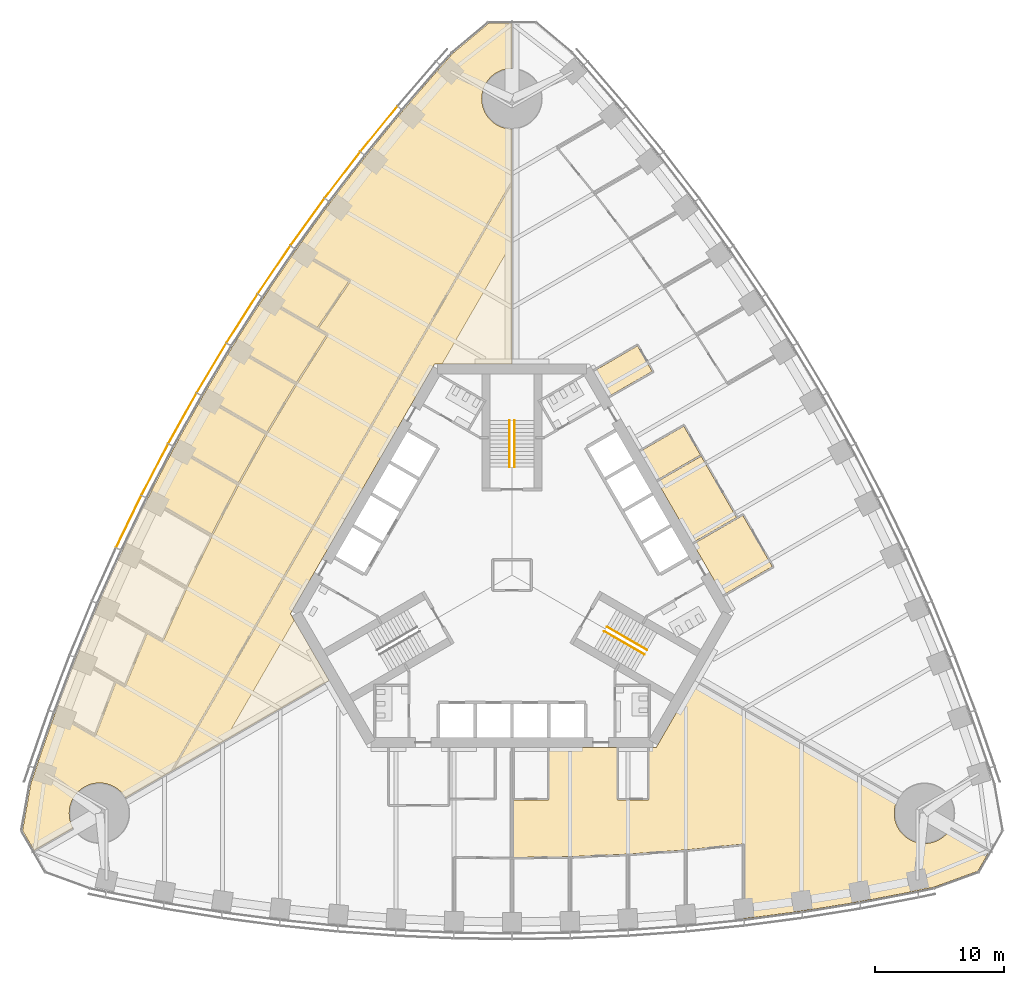
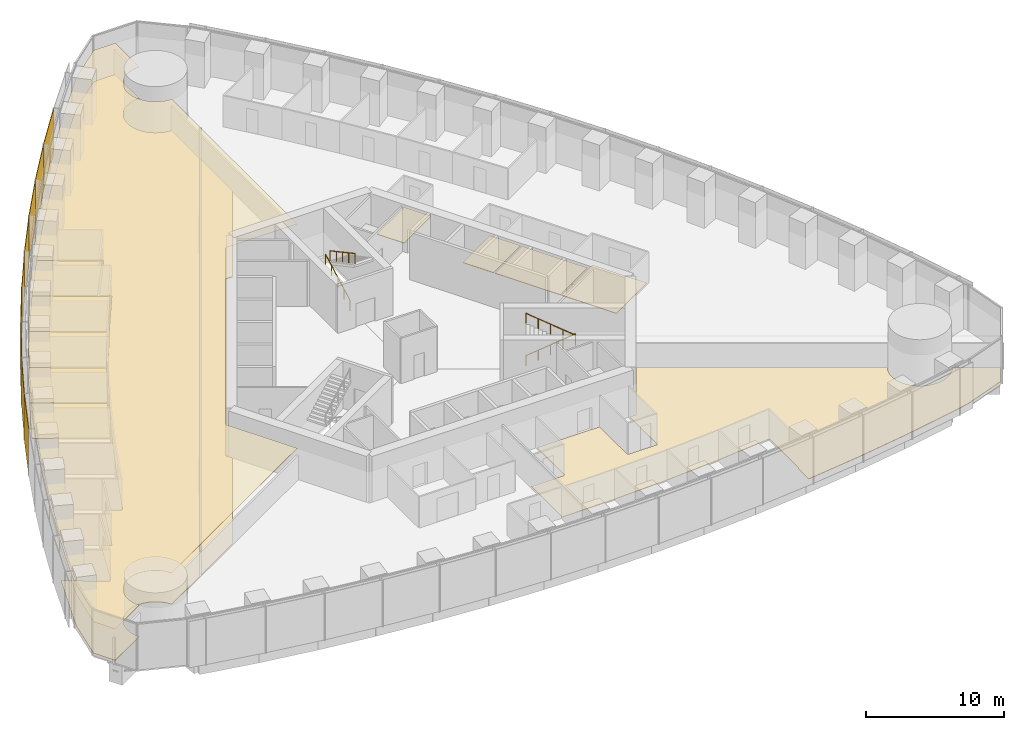
# One storey, part 15 of 18: 13 coverings, 9 shading devices, 4 railings.
"""IFC4 building model written with IfcOpenShell, lengths in metres."""

import ifcopenshell
import ifcopenshell.guid

model = None  # the IFC model being written
_history = None  # IfcOwnerHistory: only IFC2X3 demands one
_inside = {}  # id of a spatial element -> (the spatial element, [elements in it])
_under = {}  # id of a project, library or spatial element -> (it, [spatial elements below it])
_declared = {}  # id of a project -> (the project, [libraries it declares])
_typed = {}  # id of a type object -> (the type object, [elements of that type])
_made_of = {}  # id of a material, layer set ... -> (it, [elements and type objects made of it])


def new_model(schema):
    """Start an empty IFC model of exactly this schema.

    Asked for "IFC4X3", IfcOpenShell would pick the latest addendum, in which some entities
    have other attributes; the version numbers below select the first issue.
    IFC2X3 requires an IfcOwnerHistory on every rooted entity: one is made here for all.
    """
    global model, _history
    if schema == "IFC4X3":
        model = ifcopenshell.file(schema_version=(4, 3, 0, 0))
    else:
        model = ifcopenshell.file(schema=schema)
    _inside.clear()
    _under.clear()
    _declared.clear()
    _typed.clear()
    _made_of.clear()
    _history = None
    if model.schema == "IFC2X3":
        org = make("IfcOrganization", Name="unknown")
        user = make(
            "IfcPersonAndOrganization",
            ThePerson=make("IfcPerson", FamilyName="unknown"),
            TheOrganization=org,
        )
        app = make(
            "IfcApplication",
            ApplicationDeveloper=org,
            Version="unknown",
            ApplicationFullName="unknown",
            ApplicationIdentifier="unknown",
        )
        _history = make(
            "IfcOwnerHistory",
            OwningUser=user,
            OwningApplication=app,
            ChangeAction="ADDED",
            CreationDate=0,
        )
    return model


def make(cls, **values):
    """One entity of the class cls with the attributes given. An attribute that is None is left unset."""
    return model.create_entity(
        cls, **{name: value for name, value in values.items() if value is not None}
    )


def rooted(cls, **values):
    """An entity with a GlobalId (a new one), such as an element, a storey or a relation."""
    return make(cls, GlobalId=ifcopenshell.guid.new(), OwnerHistory=_history, **values)


def si_unit(unit_type, name, prefix=None):
    """IfcSIUnit, for example si_unit("LENGTHUNIT", "METRE", prefix="MILLI")."""
    return make("IfcSIUnit", UnitType=unit_type, Prefix=prefix, Name=name)


def assignment(units):
    """IfcUnitAssignment: the units of a project."""
    return None if units is None else make("IfcUnitAssignment", Units=units)


def point(xyz):
    """IfcCartesianPoint."""
    return None if xyz is None else make("IfcCartesianPoint", Coordinates=xyz)


def direction(xyz):
    """IfcDirection."""
    return None if xyz is None else make("IfcDirection", DirectionRatios=xyz)


def frame(location, z_axis=None, x_axis=None):
    """IfcAxis2Placement3D, a coordinate frame: its origin and axes. An axis left out is left unset."""
    return make(
        "IfcAxis2Placement3D",
        Location=point(location),
        Axis=direction(z_axis),
        RefDirection=direction(x_axis),
    )


def frame_2d(location, x_axis=None):
    """IfcAxis2Placement2D, a coordinate frame in the plane: its origin and x axis."""
    return make(
        "IfcAxis2Placement2D", Location=point(location), RefDirection=direction(x_axis)
    )


def origin():
    """The frame at (0, 0, 0) with its axes left unset."""
    return frame((0.0, 0.0, 0.0))


def origin_2d():
    """The frame at (0, 0) in the plane with its x axis left unset."""
    return frame_2d((0.0, 0.0))


def place(relative_to, where):
    """IfcLocalPlacement: puts the frame where relative to a parent placement (None: the world)."""
    return make(
        "IfcLocalPlacement", PlacementRelTo=relative_to, RelativePlacement=where
    )


def context(
    kind, dimensions, precision=None, world=None, true_north=None, identifier=None
):
    """IfcGeometricRepresentationContext, for example the 3D "Model" context."""
    return make(
        "IfcGeometricRepresentationContext",
        ContextIdentifier=identifier,
        ContextType=kind,
        CoordinateSpaceDimension=dimensions,
        Precision=precision,
        WorldCoordinateSystem=world,
        TrueNorth=true_north,
    )


def subcontext(parent, identifier, kind, view, scale=None):
    """IfcGeometricRepresentationSubContext, for example "Body" below "Model"."""
    return make(
        "IfcGeometricRepresentationSubContext",
        ContextIdentifier=identifier,
        ContextType=kind,
        ParentContext=parent,
        TargetScale=scale,
        TargetView=view,
    )


def project(units=None, contexts=None):
    """IfcProject with its units and contexts."""
    return rooted(
        "IfcProject",
        Name="project",
        RepresentationContexts=contexts,
        UnitsInContext=assignment(units),
    )


def spatial(cls, under=None, at=None, **own):
    """A site, building, storey or space (cls), placed at a placement, below another one or the project."""
    s = rooted(cls, ObjectPlacement=at, **own)
    if under is not None:
        _under.setdefault(under.id(), (under, []))[1].append(s)
    return s


def polyline(points):
    """IfcPolyline through the points."""
    return make("IfcPolyline", Points=[point(p) for p in points])


def profile(cls, at=None, kind="AREA", **sizes):
    """A parametric profile (cls). Its sizes go by their IFC names, for example OverallWidth=200.0."""
    return make(cls, ProfileType=kind, Position=at, **sizes)


def rectangle(**sizes):
    """IfcRectangleProfileDef."""
    return profile("IfcRectangleProfileDef", **sizes)


def circle(**sizes):
    """IfcCircleProfileDef."""
    return profile("IfcCircleProfileDef", **sizes)


def outline(outer, holes=None, kind="AREA"):
    """IfcArbitraryClosedProfileDef: a profile drawn as a closed curve; with holes, ...WithVoids."""
    if holes is None:
        return make("IfcArbitraryClosedProfileDef", ProfileType=kind, OuterCurve=outer)
    return make(
        "IfcArbitraryProfileDefWithVoids",
        ProfileType=kind,
        OuterCurve=outer,
        InnerCurves=holes,
    )


def extrude(swept, where, along, depth):
    """IfcExtrudedAreaSolid: the profile swept, set in the frame where, extruded along a direction by depth."""
    return make(
        "IfcExtrudedAreaSolid",
        SweptArea=swept,
        Position=where,
        ExtrudedDirection=direction(along),
        Depth=depth,
    )


def shape(context_of_items, identifier, shape_type, items):
    """IfcShapeRepresentation: the items that make up one representation, for example the "Body"."""
    return make(
        "IfcShapeRepresentation",
        ContextOfItems=context_of_items,
        RepresentationIdentifier=identifier,
        RepresentationType=shape_type,
        Items=items,
    )


def material(Name=None, Category=None):
    """IfcMaterial."""
    return make("IfcMaterial", Name=Name, Category=Category)


def layer(
    of_material, thickness, ventilated=None, Name=None, Category=None, Priority=None
):
    """IfcMaterialLayer: one layer of a wall or slab, of a material (None: an air gap)."""
    return make(
        "IfcMaterialLayer",
        Material=of_material,
        LayerThickness=thickness,
        IsVentilated=ventilated,
        Name=Name,
        Category=Category,
        Priority=Priority,
    )


def layer_set(layers, Name=None):
    """IfcMaterialLayerSet."""
    return make("IfcMaterialLayerSet", MaterialLayers=layers, LayerSetName=Name)


def made_of(thing, what):
    """Note that an element or type object is made of a material, layer set ...; save() writes the relation."""
    if what is not None:
        _made_of.setdefault(what.id(), (what, []))[1].append(thing)
    return thing


def type_object(cls, material=None, **own):
    """A type object (cls), such as IfcWallType, which elements share."""
    return made_of(rooted(cls, **own), material)


def element(
    cls,
    number,
    at=None,
    inside=None,
    cuts=None,
    type_object=None,
    material=None,
    context=None,
    identifier="Body",
    shape_type=None,
    held_by="IfcProductDefinitionShape",
    body=None,
    shapes=None,
    **own,
):
    """One element of the class cls, such as IfcWall. Its Tag is "e" and its number.

    at: its placement. inside: the storey or other place that contains it. cuts: it is an
    opening in that element (IfcRelVoidsElement). A single representation is given by context,
    identifier, shape_type and body (its items); several are given by shapes. held_by: the class
    of the entity that holds the representations. save() writes the other relations.
    """
    e = rooted(cls, Tag="e%d" % number, ObjectPlacement=at, **own)
    if body is not None:
        shapes = [shape(context, identifier, shape_type, body)]
    if shapes is not None:
        e.Representation = make(held_by, Representations=shapes)
    if inside is not None:
        _inside.setdefault(inside.id(), (inside, []))[1].append(e)
    if cuts is not None:
        rooted(
            "IfcRelVoidsElement", RelatingBuildingElement=cuts, RelatedOpeningElement=e
        )
    if type_object is not None:
        _typed.setdefault(type_object.id(), (type_object, []))[1].append(e)
    return made_of(e, material)


def aggregate(whole, parts):
    """IfcRelAggregates: a whole, such as a stair, and the parts it consists of."""
    return rooted("IfcRelAggregates", RelatingObject=whole, RelatedObjects=parts)


def save(model, path):
    """Write the relations noted so far, then the file.

    IfcRelAggregates (storeys below a building ...), IfcRelContainedInSpatialStructure (elements
    in a storey), IfcRelDefinesByType, IfcRelAssociatesMaterial and IfcRelDeclares: one each for
    every whole, place, type object, material and project.
    """
    for whole, parts in _under.values():
        aggregate(whole, parts)
    for where, things in _inside.values():
        rooted(
            "IfcRelContainedInSpatialStructure",
            RelatedElements=things,
            RelatingStructure=where,
        )
    for kind, things in _typed.values():
        rooted("IfcRelDefinesByType", RelatedObjects=things, RelatingType=kind)
    for what, things in _made_of.values():
        rooted("IfcRelAssociatesMaterial", RelatedObjects=things, RelatingMaterial=what)
    for by, libraries in _declared.values():
        rooted("IfcRelDeclares", RelatingContext=by, RelatedDefinitions=libraries)
    model.write(path)


model = new_model("IFC4")

# Units and contexts
model_context = context("Model", 3, precision=1e-05, world=origin(), true_north=direction((0.0, 1.0)))
body_context = subcontext(model_context, "Body", "Model", "MODEL_VIEW")
ifc_project = project(units=[si_unit("LENGTHUNIT", "METRE"), si_unit("AREAUNIT", "SQUARE_METRE"), si_unit("VOLUMEUNIT", "CUBIC_METRE"), si_unit("PLANEANGLEUNIT", "RADIAN"), si_unit("MASSUNIT", "GRAM", prefix="KILO")], contexts=[model_context])

# Site, building, storey
site_placement = place(None, origin())
site = spatial("IfcSite", under=ifc_project, at=site_placement, CompositionType="ELEMENT")
building_placement = place(site_placement, origin())
building = spatial("IfcBuilding", under=site, at=building_placement, Name="Trefoil Bronze Tower", CompositionType="ELEMENT")
storey_placement = place(building_placement, frame((0.0, 0.0, 24.89990234375)))
storey = spatial("IfcBuildingStorey", under=building, at=storey_placement, Name="L05", CompositionType="ELEMENT", Elevation=24.89990234375)

# Shading devices
ifc_material_1 = material(Name="Perforated bronze sheet", Category="bronze")
ifc_layer_1 = layer(ifc_material_1, 0.0400390625)
ifc_layer_set_1 = layer_set([ifc_layer_1], Name="Bronze solar screen panel")
shading_device_type = type_object("IfcShadingDeviceType", Name="Bronze solar screen panel", PredefinedType="SHUTTER", material=ifc_layer_set_1)
shading_device_1_placement = place(storey_placement, frame((-10.338623046875, 34.6474609375, 0.050048828125), z_axis=(0.0, 0.0, 1.0), x_axis=(-0.631810729457, -0.775122701346, 0.0)))
element("IfcShadingDevice", 1, at=shading_device_1_placement, inside=storey, type_object=shading_device_type, Name="Solar screen CW-A L05 F3 bay 3", PredefinedType="SHUTTER", context=body_context, shape_type="SweptSolid", body=[
    extrude(rectangle(XDim=4.5283203125, YDim=0.0400390625, at=origin_2d()), origin(), (0.0, 0.0, 1.0), 4.10009765625),
])
shading_device_2_placement = place(storey_placement, frame((-13.170166015625, 31.06787109375, 0.050048828125), z_axis=(0.0, 0.0, 1.0), x_axis=(-0.608807670879, -0.793317855515, 0.0)))
element("IfcShadingDevice", 2, at=shading_device_2_placement, inside=storey, type_object=shading_device_type, Name="Solar screen CW-A L05 F3 bay 4", PredefinedType="SHUTTER", context=body_context, shape_type="SweptSolid", body=[
    extrude(rectangle(XDim=4.5087890625, YDim=0.0400390625, at=origin_2d()), origin(), (0.0, 0.0, 1.0), 4.10009765625),
])
shading_device_3_placement = place(storey_placement, frame((-15.88525390625, 27.421142578125, 0.050048828125), z_axis=(0.0, 0.0, 1.0), x_axis=(-0.585372522213, -0.810764460394, 0.0)))
element("IfcShadingDevice", 3, at=shading_device_3_placement, inside=storey, type_object=shading_device_type, Name="Solar screen CW-A L05 F3 bay 5", PredefinedType="SHUTTER", context=body_context, shape_type="SweptSolid", body=[
    extrude(rectangle(XDim=4.493408203125, YDim=0.0400390625, at=origin_2d()), origin(), (0.0, 0.0, 1.0), 4.10009765625),
])
shading_device_4_placement = place(storey_placement, frame((-18.48486328125, 23.707763671875, 0.050048828125), z_axis=(0.0, 0.0, 1.0), x_axis=(-0.56150968077, -0.827470167681, 0.0)))
element("IfcShadingDevice", 4, at=shading_device_4_placement, inside=storey, type_object=shading_device_type, Name="Solar screen CW-A L05 F3 bay 6", PredefinedType="SHUTTER", context=body_context, shape_type="SweptSolid", body=[
    extrude(rectangle(XDim=4.48193359375, YDim=0.0400390625, at=origin_2d()), origin(), (0.0, 0.0, 1.0), 4.10009765625),
])
shading_device_5_placement = place(storey_placement, frame((-20.97021484375, 19.928466796875, 0.050048828125), z_axis=(0.0, 0.0, 1.0), x_axis=(-0.537222392469, -0.843440632783, 0.0)))
element("IfcShadingDevice", 5, at=shading_device_5_placement, inside=storey, type_object=shading_device_type, Name="Solar screen CW-A L05 F3 bay 7", PredefinedType="SHUTTER", context=body_context, shape_type="SweptSolid", body=[
    extrude(rectangle(XDim=4.474365234375, YDim=0.0400390625, at=origin_2d()), origin(), (0.0, 0.0, 1.0), 4.10009765625),
])
for number, where, z_axis, x_axis, name in (
    (6, (-23.341552734375, 16.083251953125, 0.050048828125), (0.0, 0.0, 1.0), (-0.51251279404, -0.858679588639, 0.0), "Solar screen CW-A L05 F3 bay 8"),
    (7, (-25.599365234375, 12.172607421875, 0.050048828125), (0.0, 0.0, 1.0), (-0.487381940453, -0.873188893722, 0.0), "Solar screen CW-A L05 F3 bay 9"),
):
    element("IfcShadingDevice", number, at=place(storey_placement, frame(where, z_axis=z_axis, x_axis=x_axis)), inside=storey, type_object=shading_device_type, Name=name, PredefinedType="SHUTTER", context=body_context, shape_type="SweptSolid", body=[
        extrude(rectangle(XDim=4.470458984375, YDim=0.0400390625, at=origin_2d()), origin(), (0.0, 0.0, 1.0), 4.10009765625),
    ])
shading_device_6_placement = place(storey_placement, frame((-27.74365234375, 8.1962890625, 0.050048828125), z_axis=(0.0, 0.0, 1.0), x_axis=(-0.46182981834, -0.886968555752, 0.0)))
element("IfcShadingDevice", 8, at=shading_device_6_placement, inside=storey, type_object=shading_device_type, Name="Solar screen CW-A L05 F3 bay 10", PredefinedType="SHUTTER", context=body_context, shape_type="SweptSolid", body=[
    extrude(rectangle(XDim=4.474365234375, YDim=0.0400390625, at=origin_2d()), origin(), (0.0, 0.0, 1.0), 4.10009765625),
])
shading_device_7_placement = place(storey_placement, frame((-29.77392578125, 4.154541015625, 0.050048828125), z_axis=(0.0, 0.0, 1.0), x_axis=(-0.4358553457, -0.900016731858, 0.0)))
element("IfcShadingDevice", 9, at=shading_device_7_placement, inside=storey, type_object=shading_device_type, Name="Solar screen CW-A L05 F3 bay 11", PredefinedType="SHUTTER", context=body_context, shape_type="SweptSolid", body=[
    extrude(rectangle(XDim=4.48193359375, YDim=0.0400390625, at=origin_2d()), origin(), (0.0, 0.0, 1.0), 4.10009765625),
])

# Railings
ifc_material_2 = material(Name="Steel handrail", Category="steel")
railing_type = type_object("IfcRailingType", Name="Handrail 900", PredefinedType="HANDRAIL", material=ifc_material_2)
railing_1_placement = place(storey_placement, frame((7.365966796875, -4.021728515625, 0.16162109375)))
element("IfcRailing", 10, at=railing_1_placement, inside=storey, type_object=railing_type, Name="Handrail ST1 flight 1 L05", PredefinedType="HANDRAIL", context=body_context, shape_type="SweptSolid", body=[
    extrude(circle(Radius=0.02392578125, at=origin_2d()), frame((0.0, 0.0, 0.8759765625), z_axis=(0.76250339821, -0.440245697338, 0.474101564745), x_axis=(0.500012057535, 0.866018442252, 0.0)), (0.0, 0.0, 1.0), 4.088623046875),
    extrude(circle(Radius=0.02099609375, at=origin_2d()), origin(), (0.0, 0.0, 1.0), 0.851806640625),
    extrude(circle(Radius=0.02099609375, at=origin_2d()), frame((0.779296875, -0.449951171875, 0.484619140625)), (0.0, 0.0, 1.0), 0.851806640625),
    extrude(circle(Radius=0.02099609375, at=origin_2d()), frame((1.558837890625, -0.89990234375, 0.96923828125)), (0.0, 0.0, 1.0), 0.851806640625),
    extrude(circle(Radius=0.02099609375, at=origin_2d()), frame((2.33837890625, -1.35009765625, 1.453857421875)), (0.0, 0.0, 1.0), 0.851806640625),
    extrude(circle(Radius=0.02099609375, at=origin_2d()), frame((3.11767578125, -1.800048828125, 1.9384765625)), (0.0, 0.0, 1.0), 0.851806640625),
])
railing_2_placement = place(storey_placement, frame((10.28369140625, -6.168212890625, 2.26171875)))
element("IfcRailing", 11, at=railing_2_placement, inside=storey, type_object=railing_type, Name="Handrail ST1 flight 2 L05", PredefinedType="HANDRAIL", context=body_context, shape_type="SweptSolid", body=[
    extrude(circle(Radius=0.02392578125, at=origin_2d()), frame((0.0, 0.0, 0.8759765625), z_axis=(-0.76250339821, 0.440245697338, 0.474101564745), x_axis=(-0.500012057535, -0.866018442252, 0.0)), (0.0, 0.0, 1.0), 4.088623046875),
    extrude(circle(Radius=0.02099609375, at=origin_2d()), origin(), (0.0, 0.0, 1.0), 0.851806640625),
    extrude(circle(Radius=0.02099609375, at=origin_2d()), frame((-0.779296875, 0.449951171875, 0.484619140625)), (0.0, 0.0, 1.0), 0.851806640625),
    extrude(circle(Radius=0.02099609375, at=origin_2d()), frame((-1.558837890625, 0.89990234375, 0.96923828125)), (0.0, 0.0, 1.0), 0.851806640625),
    extrude(circle(Radius=0.02099609375, at=origin_2d()), frame((-2.33837890625, 1.35009765625, 1.453857421875)), (0.0, 0.0, 1.0), 0.851806640625),
    extrude(circle(Radius=0.02099609375, at=origin_2d()), frame((-3.11767578125, 1.800048828125, 1.9384765625)), (0.0, 0.0, 1.0), 0.851806640625),
])
railing_3_placement = place(storey_placement, frame((-0.199951171875, 8.389892578125, 0.16162109375)))
element("IfcRailing", 12, at=railing_3_placement, inside=storey, type_object=railing_type, Name="Handrail ST2 flight 1 L05", PredefinedType="HANDRAIL", context=body_context, shape_type="SweptSolid", body=[
    extrude(circle(Radius=0.02392578125, at=origin_2d()), frame((0.0, 0.0, 0.8759765625), z_axis=(0.0, 0.880474934443, 0.474092701714), x_axis=(-1.0, 0.0, 0.0)), (0.0, 0.0, 1.0), 4.0888671875),
    extrude(circle(Radius=0.02099609375, at=origin_2d()), origin(), (0.0, 0.0, 1.0), 0.851806640625),
    extrude(circle(Radius=0.02099609375, at=origin_2d()), frame((0.0, 0.89990234375, 0.484619140625)), (0.0, 0.0, 1.0), 0.851806640625),
    extrude(circle(Radius=0.02099609375, at=origin_2d()), frame((0.0, 1.800048828125, 0.96923828125)), (0.0, 0.0, 1.0), 0.851806640625),
    extrude(circle(Radius=0.02099609375, at=origin_2d()), frame((0.0, 2.7001953125, 1.453857421875)), (0.0, 0.0, 1.0), 0.851806640625),
    extrude(circle(Radius=0.02099609375, at=origin_2d()), frame((0.0, 3.60009765625, 1.9384765625)), (0.0, 0.0, 1.0), 0.851806640625),
])
railing_4_placement = place(storey_placement, frame((0.199951171875, 11.989990234375, 2.26171875)))
element("IfcRailing", 13, at=railing_4_placement, inside=storey, type_object=railing_type, Name="Handrail ST2 flight 2 L05", PredefinedType="HANDRAIL", context=body_context, shape_type="SweptSolid", body=[
    extrude(circle(Radius=0.02392578125, at=origin_2d()), frame((0.0, 0.0, 0.8759765625), z_axis=(0.0, -0.880474934443, 0.474092701714), x_axis=(1.0, 0.0, 0.0)), (0.0, 0.0, 1.0), 4.0888671875),
    extrude(circle(Radius=0.02099609375, at=origin_2d()), origin(), (0.0, 0.0, 1.0), 0.851806640625),
    extrude(circle(Radius=0.02099609375, at=origin_2d()), frame((0.0, -0.89990234375, 0.484619140625)), (0.0, 0.0, 1.0), 0.851806640625),
    extrude(circle(Radius=0.02099609375, at=origin_2d()), frame((0.0, -1.800048828125, 0.96923828125)), (0.0, 0.0, 1.0), 0.851806640625),
    extrude(circle(Radius=0.02099609375, at=origin_2d()), frame((0.0, -2.7001953125, 1.453857421875)), (0.0, 0.0, 1.0), 0.851806640625),
    extrude(circle(Radius=0.02099609375, at=origin_2d()), frame((0.0, -3.60009765625, 1.9384765625)), (0.0, 0.0, 1.0), 0.851806640625),
])

# Coverings
ifc_material_3 = material(Name="Acoustic ceiling panels", Category="mineral fibre")
ifc_layer_2 = layer(ifc_material_3, 0.02001953125)
ifc_layer_set_2 = layer_set([ifc_layer_2], Name="Office ceiling 20")
covering_type_1 = type_object("IfcCoveringType", Name="Office ceiling 20", PredefinedType="CEILING", material=ifc_layer_set_2)
covering_1_placement = place(storey_placement, frame((0.0, 0.0, 2.900146484375)))
element("IfcCovering", 14, at=covering_1_placement, inside=storey, type_object=covering_type_1, Name="Ceiling L05 Open-plan office F3", PredefinedType="CEILING", context=body_context, shape_type="SweptSolid", body=[
    extrude(outline(polyline([(-36.9814453125, -15.021728515625), (-35.47998046875, -10.6923828125), (-33.860107421875, -6.431640625), (-32.123291015625, -2.23828125), (-30.271240234375, 1.888671875), (-28.3046875, 5.949462890625), (-26.224609375, 9.944580078125), (-24.031005859375, 13.87451171875), (-21.724609375, 17.73876953125), (-19.3046875, 21.537841796875), (-16.771240234375, 25.271484375), (-14.123291015625, 28.938720703125), (-11.360107421875, 32.53955078125), (-8.47998046875, 36.072998046875), (-5.4814453125, 39.537841796875), (-4.618896484375, 40.497314453125), (-1.82421875, 42.84228515625), (-0.01611328125, 42.84228515625), (-0.014892578125, 39.349609375), (-0.115234375, 39.34716796875), (-0.230224609375, 39.338623046875), (-0.3447265625, 39.32470703125), (-0.45849609375, 39.3046875), (-0.571044921875, 39.279541015625), (-0.68212890625, 39.248779296875), (-0.791748046875, 39.212646484375), (-0.8994140625, 39.171142578125), (-1.0048828125, 39.12451171875), (-1.10791015625, 39.072509765625), (-1.2080078125, 39.015625), (-1.3056640625, 38.9541015625), (-1.39990234375, 38.887451171875), (-1.49072265625, 38.816650390625), (-1.578125, 38.7412109375), (-1.66162109375, 38.66162109375), (-1.7412109375, 38.578125), (-1.816650390625, 38.49072265625), (-1.887451171875, 38.39990234375), (-1.9541015625, 38.3056640625), (-2.015625, 38.2080078125), (-2.072509765625, 38.10791015625), (-2.12451171875, 38.0048828125), (-2.171142578125, 37.8994140625), (-2.212646484375, 37.791748046875), (-2.248779296875, 37.68212890625), (-2.279541015625, 37.571044921875), (-2.3046875, 37.45849609375), (-2.32470703125, 37.3447265625), (-2.338623046875, 37.230224609375), (-2.34716796875, 37.115234375), (-2.35009765625, 37.0), (-2.34716796875, 36.884765625), (-2.338623046875, 36.769775390625), (-2.32470703125, 36.6552734375), (-2.3046875, 36.54150390625), (-2.279541015625, 36.428955078125), (-2.248779296875, 36.31787109375), (-2.212646484375, 36.208251953125), (-2.171142578125, 36.1005859375), (-2.12451171875, 35.9951171875), (-2.072509765625, 35.89208984375), (-2.015625, 35.7919921875), (-1.9541015625, 35.6943359375), (-1.887451171875, 35.60009765625), (-1.816650390625, 35.50927734375), (-1.7412109375, 35.421875), (-1.66162109375, 35.33837890625), (-1.578125, 35.2587890625), (-1.49072265625, 35.183349609375), (-1.39990234375, 35.112548828125), (-1.3056640625, 35.0458984375), (-1.2080078125, 34.984375), (-1.10791015625, 34.927490234375), (-1.0048828125, 34.87548828125), (-0.8994140625, 34.828857421875), (-0.791748046875, 34.787353515625), (-0.68212890625, 34.751220703125), (-0.571044921875, 34.720458984375), (-0.45849609375, 34.6953125), (-0.3447265625, 34.67529296875), (-0.230224609375, 34.661376953125), (-0.115234375, 34.65283203125), (-0.012939453125, 34.650390625), (-0.006103515625, 16.39990234375), (-6.00439453125, 16.39990234375), (-17.205078125, -3.0), (-14.205810546875, -8.194580078125), (-30.0146484375, -17.31396484375), (-30.02734375, -17.2919921875), (-30.089111328125, -17.1943359375), (-30.155517578125, -17.10009765625), (-30.226318359375, -17.00927734375), (-30.3017578125, -16.921875), (-30.381103515625, -16.83837890625), (-30.46484375, -16.7587890625), (-30.552001953125, -16.683349609375), (-30.64306640625, -16.612548828125), (-30.7373046875, -16.5458984375), (-30.834716796875, -16.484375), (-30.935302734375, -16.427490234375), (-31.0380859375, -16.37548828125), (-31.1435546875, -16.328857421875), (-31.251220703125, -16.287353515625), (-31.36083984375, -16.251220703125), (-31.471923828125, -16.220458984375), (-31.58447265625, -16.1953125), (-31.697998046875, -16.17529296875), (-31.8125, -16.161376953125), (-31.927490234375, -16.15283203125), (-32.04296875, -16.14990234375), (-32.158203125, -16.15283203125), (-32.273193359375, -16.161376953125), (-32.3876953125, -16.17529296875), (-32.50146484375, -16.1953125), (-32.614013671875, -16.220458984375), (-32.72509765625, -16.251220703125), (-32.834716796875, -16.287353515625), (-32.942138671875, -16.328857421875), (-33.047607421875, -16.37548828125), (-33.150634765625, -16.427490234375), (-33.251220703125, -16.484375), (-33.348388671875, -16.5458984375), (-33.44287109375, -16.612548828125), (-33.53369140625, -16.683349609375), (-33.62109375, -16.7587890625), (-33.70458984375, -16.83837890625), (-33.7841796875, -16.921875), (-33.859619140625, -17.00927734375), (-33.930419921875, -17.10009765625), (-33.996826171875, -17.1943359375), (-34.05859375, -17.2919921875), (-34.115478515625, -17.39208984375), (-34.167236328125, -17.4951171875), (-34.214111328125, -17.6005859375), (-34.255615234375, -17.708251953125), (-34.291748046875, -17.81787109375), (-34.322509765625, -17.928955078125), (-34.347900390625, -18.04150390625), (-34.367431640625, -18.1552734375), (-34.381591796875, -18.269775390625), (-34.39013671875, -18.384765625), (-34.392822265625, -18.5), (-34.39013671875, -18.615234375), (-34.381591796875, -18.730224609375), (-34.367431640625, -18.8447265625), (-34.347900390625, -18.95849609375), (-34.322509765625, -19.071044921875), (-34.291748046875, -19.18212890625), (-34.255615234375, -19.291748046875), (-34.214111328125, -19.3994140625), (-34.167236328125, -19.5048828125), (-34.115478515625, -19.60791015625), (-34.084716796875, -19.661865234375), (-37.110595703125, -21.4072265625), (-38.0146484375, -19.841552734375), (-37.381103515625, -16.248779296875), (-36.9814453125, -15.021728515625)])), origin(), (0.0, 0.0, 1.0), 0.02001953125),
])
ifc_material_4 = material(Name="Raised access floor panels", Category="steel")
ifc_layer_3 = layer(ifc_material_4, 0.050048828125)
ifc_layer_set_3 = layer_set([ifc_layer_3], Name="Raised access floor 150")
covering_type_2 = type_object("IfcCoveringType", Name="Raised access floor 150", PredefinedType="FLOORING", material=ifc_layer_set_3)
covering_2_placement = place(storey_placement, frame((0.0, 0.0, 0.10009765625)))
element("IfcCovering", 15, at=covering_2_placement, inside=storey, type_object=covering_type_2, Name="Raised floor L05 Open-plan office F1", PredefinedType="FLOORING", context=body_context, shape_type="SweptSolid", body=[
    extrude(outline(polyline([(18.0, -25.10986328125), (18.06005859375, -25.10986328125), (18.06005859375, -20.95068359375), (18.0, -20.95068359375), (17.993896484375, -20.890869140625), (13.494873046875, -21.350341796875), (8.99658203125, -21.677490234375), (4.498291015625, -21.873291015625), (0.074951171875, -21.9375), (0.074951171875, -17.39990234375), (0.125, -17.39990234375), (0.125, -17.4599609375), (2.824951171875, -17.4599609375), (2.824951171875, -17.39990234375), (2.885009765625, -17.39990234375), (2.885009765625, -13.39990234375), (8.139892578125, -13.39990234375), (8.139892578125, -17.39990234375), (8.199951171875, -17.39990234375), (8.199951171875, -17.4599609375), (10.60009765625, -17.4599609375), (10.60009765625, -17.39990234375), (10.659912109375, -17.39990234375), (10.659912109375, -13.39990234375), (11.20068359375, -13.39990234375), (14.19970703125, -8.205322265625), (30.001953125, -17.336669921875), (29.970458984375, -17.39208984375), (29.918701171875, -17.4951171875), (29.871826171875, -17.6005859375), (29.830322265625, -17.708251953125), (29.794189453125, -17.81787109375), (29.763427734375, -17.928955078125), (29.738037109375, -18.04150390625), (29.718505859375, -18.1552734375), (29.704345703125, -18.269775390625), (29.69580078125, -18.384765625), (29.69287109375, -18.5), (29.69580078125, -18.615234375), (29.704345703125, -18.730224609375), (29.718505859375, -18.8447265625), (29.738037109375, -18.95849609375), (29.763427734375, -19.071044921875), (29.794189453125, -19.18212890625), (29.830322265625, -19.291748046875), (29.871826171875, -19.3994140625), (29.918701171875, -19.5048828125), (29.970458984375, -19.60791015625), (30.02734375, -19.7080078125), (30.089111328125, -19.8056640625), (30.155517578125, -19.89990234375), (30.226318359375, -19.99072265625), (30.3017578125, -20.078125), (30.381103515625, -20.16162109375), (30.46484375, -20.2412109375), (30.552001953125, -20.316650390625), (30.64306640625, -20.387451171875), (30.7373046875, -20.4541015625), (30.834716796875, -20.515625), (30.935302734375, -20.572509765625), (31.0380859375, -20.62451171875), (31.1435546875, -20.671142578125), (31.251220703125, -20.712646484375), (31.36083984375, -20.748779296875), (31.471923828125, -20.779541015625), (31.58447265625, -20.8046875), (31.697998046875, -20.82470703125), (31.8125, -20.838623046875), (31.927490234375, -20.84716796875), (32.04296875, -20.85009765625), (32.158203125, -20.84716796875), (32.273193359375, -20.838623046875), (32.3876953125, -20.82470703125), (32.50146484375, -20.8046875), (32.614013671875, -20.779541015625), (32.72509765625, -20.748779296875), (32.834716796875, -20.712646484375), (32.942138671875, -20.671142578125), (33.047607421875, -20.62451171875), (33.150634765625, -20.572509765625), (33.251220703125, -20.515625), (33.348388671875, -20.4541015625), (33.44287109375, -20.387451171875), (33.53369140625, -20.316650390625), (33.62109375, -20.2412109375), (33.70458984375, -20.16162109375), (33.7841796875, -20.078125), (33.859619140625, -19.99072265625), (33.930419921875, -19.89990234375), (33.996826171875, -19.8056640625), (34.0703125, -19.6875), (37.094482421875, -21.43505859375), (36.190673828125, -23.0009765625), (32.762451171875, -24.248779296875), (31.5, -24.51611328125), (27.0, -25.38037109375), (22.5, -26.10791015625), (18.0, -26.70068359375), (18.0, -25.10986328125)])), origin(), (0.0, 0.0, 1.0), 0.050048828125),
])
covering_3_placement = place(storey_placement, frame((0.0, 0.0, 0.10009765625)))
element("IfcCovering", 16, at=covering_3_placement, inside=storey, type_object=covering_type_2, Name="Raised floor L05 Reception F2", PredefinedType="FLOORING", context=body_context, shape_type="SweptSolid", body=[
    extrude(outline(polyline([(14.084716796875, 2.404541015625), (17.929931640625, 4.62451171875), (20.219970703125, 0.658203125), (16.374755859375, -1.56201171875), (14.084716796875, 2.404541015625)])), origin(), (0.0, 0.0, 1.0), 0.050048828125),
])
covering_4_placement = place(storey_placement, frame((0.0, 0.0, 0.10009765625)))
element("IfcCovering", 17, at=covering_4_placement, inside=storey, type_object=covering_type_2, Name="Raised floor L05 Meeting room F2", PredefinedType="FLOORING", context=body_context, shape_type="SweptSolid", body=[
    extrude(outline(polyline([(11.28466796875, 7.25439453125), (14.697021484375, 9.224365234375), (17.43701171875, 4.478515625), (14.024658203125, 2.50830078125), (11.28466796875, 7.25439453125)])), origin(), (0.0, 0.0, 1.0), 0.050048828125),
])
covering_5_placement = place(storey_placement, frame((0.0, 0.0, 0.10009765625)))
element("IfcCovering", 18, at=covering_5_placement, inside=storey, type_object=covering_type_2, Name="Raised floor L05 Pantry F2", PredefinedType="FLOORING", context=body_context, shape_type="SweptSolid", body=[
    extrude(outline(polyline([(9.934814453125, 9.592529296875), (13.346923828125, 11.5625), (14.636962890625, 9.328125), (11.224609375, 7.358154296875), (9.934814453125, 9.592529296875)])), origin(), (0.0, 0.0, 1.0), 0.050048828125),
])
covering_6_placement = place(storey_placement, frame((0.0, 0.0, 0.10009765625)))
element("IfcCovering", 19, at=covering_6_placement, inside=storey, type_object=covering_type_2, Name="Raised floor L05 Comms room F2", PredefinedType="FLOORING", context=body_context, shape_type="SweptSolid", body=[
    extrude(outline(polyline([(6.334716796875, 15.827880859375), (9.746826171875, 17.7978515625), (10.886962890625, 15.823486328125), (7.474609375, 13.853515625), (6.334716796875, 15.827880859375)])), origin(), (0.0, 0.0, 1.0), 0.050048828125),
])
covering_7_placement = place(storey_placement, frame((0.0, 0.0, 0.10009765625)))
element("IfcCovering", 20, at=covering_7_placement, inside=storey, type_object=covering_type_2, Name="Raised floor L05 Reception F3", PredefinedType="FLOORING", context=body_context, shape_type="SweptSolid", body=[
    extrude(outline(polyline([(-19.3046875, 21.537841796875), (-16.771240234375, 25.271484375), (-15.397705078125, 24.478515625), (-15.427734375, 24.426513671875), (-12.67431640625, 22.836669921875), (-15.14013671875, 19.202880859375), (-17.904052734375, 20.798583984375), (-17.93408203125, 20.74658203125), (-19.3046875, 21.537841796875)])), origin(), (0.0, 0.0, 1.0), 0.050048828125),
])
covering_8_placement = place(storey_placement, frame((0.0, 0.0, 0.10009765625)))
element("IfcCovering", 21, at=covering_8_placement, inside=storey, type_object=covering_type_2, Name="Raised floor L05 Office F3", PredefinedType="FLOORING", context=body_context, shape_type="SweptSolid", body=[
    extrude(outline(polyline([(-19.3046875, 21.537841796875), (-17.93408203125, 20.74658203125), (-17.964111328125, 20.694580078125), (-14.409423828125, 18.642333984375), (-16.7646484375, 14.944580078125), (-20.32568359375, 17.00048828125), (-20.355712890625, 16.948486328125), (-21.724609375, 17.73876953125), (-19.3046875, 21.537841796875)])), origin(), (0.0, 0.0, 1.0), 0.050048828125),
])
covering_9_placement = place(storey_placement, frame((0.0, 0.0, 0.10009765625)))
element("IfcCovering", 22, at=covering_9_placement, inside=storey, type_object=covering_type_2, Name="Raised floor L05 Office F3", PredefinedType="FLOORING", context=body_context, shape_type="SweptSolid", body=[
    extrude(outline(polyline([(-24.031005859375, 13.87451171875), (-21.724609375, 17.73876953125), (-20.355712890625, 16.948486328125), (-20.385498046875, 16.896484375), (-16.82763671875, 14.84228515625), (-19.07275390625, 11.080810546875), (-22.6328125, 13.13623046875), (-22.662841796875, 13.08447265625), (-24.031005859375, 13.87451171875)])), origin(), (0.0, 0.0, 1.0), 0.050048828125),
])
covering_10_placement = place(storey_placement, frame((0.0, 0.0, 0.10009765625)))
element("IfcCovering", 23, at=covering_10_placement, inside=storey, type_object=covering_type_2, Name="Raised floor L05 Office F3", PredefinedType="FLOORING", context=body_context, shape_type="SweptSolid", body=[
    extrude(outline(polyline([(-26.224609375, 9.944580078125), (-24.031005859375, 13.87451171875), (-22.662841796875, 13.08447265625), (-22.69287109375, 13.032470703125), (-19.1328125, 10.97705078125), (-21.267578125, 7.152099609375), (-24.82568359375, 9.206298828125), (-24.855712890625, 9.154296875), (-26.224609375, 9.944580078125)])), origin(), (0.0, 0.0, 1.0), 0.050048828125),
])
covering_11_placement = place(storey_placement, frame((0.0, 0.0, 0.10009765625)))
element("IfcCovering", 24, at=covering_11_placement, inside=storey, type_object=covering_type_2, Name="Raised floor L05 Office F3", PredefinedType="FLOORING", context=body_context, shape_type="SweptSolid", body=[
    extrude(outline(polyline([(-28.3046875, 5.949462890625), (-26.224609375, 9.944580078125), (-24.855712890625, 9.154296875), (-24.885498046875, 9.102294921875), (-21.32470703125, 7.04638671875), (-23.349365234375, 3.15771484375), (-26.904052734375, 5.210205078125), (-26.93408203125, 5.158203125), (-28.3046875, 5.949462890625)])), origin(), (0.0, 0.0, 1.0), 0.050048828125),
])
covering_12_placement = place(storey_placement, frame((0.0, 0.0, 0.10009765625)))
element("IfcCovering", 25, at=covering_12_placement, inside=storey, type_object=covering_type_2, Name="Raised floor L05 Corridor F3", PredefinedType="FLOORING", context=body_context, shape_type="SweptSolid", body=[
    extrude(outline(polyline([(-0.011474609375, 30.38037109375), (-0.009765625, 25.783203125), (-5.427001953125, 16.39990234375), (-6.00439453125, 16.39990234375), (-17.205078125, -3.0), (-16.91650390625, -3.5), (-22.333740234375, -12.88330078125), (-26.31591796875, -15.180419921875), (-0.011474609375, 30.38037109375)])), origin(), (0.0, 0.0, 1.0), 0.050048828125),
])
covering_13_placement = place(storey_placement, frame((0.0, 0.0, 0.10009765625)))
element("IfcCovering", 26, at=covering_13_placement, inside=storey, type_object=covering_type_2, Name="Raised floor L05 Open-plan office F3", PredefinedType="FLOORING", context=body_context, shape_type="SweptSolid", body=[
    extrude(outline(polyline([(-36.9814453125, -15.021728515625), (-35.47998046875, -10.6923828125), (-34.090576171875, -11.49462890625), (-34.12060546875, -11.546630859375), (-32.422607421875, -12.527099609375), (-32.392578125, -12.47509765625), (-32.336669921875, -12.496337890625), (-30.74169921875, -8.30126953125), (-30.105712890625, -8.668701171875), (-30.07568359375, -8.61669921875), (-30.02001953125, -8.6396484375), (-28.3095703125, -4.50927734375), (-27.173828125, -5.1650390625), (-27.143798828125, -5.11328125), (-27.089111328125, -5.1376953125), (-25.2373046875, -1.01171875), (-23.271484375, 3.047607421875), (-21.192138671875, 7.041015625), (-18.99951171875, 10.969482421875), (-16.69384765625, 14.832275390625), (-14.2744140625, 18.630615234375), (-14.3251953125, 18.662841796875), (-14.295166015625, 18.71484375), (-15.035888671875, 19.142578125), (-12.538818359375, 22.82275390625), (-12.58837890625, 22.8564453125), (-12.558349609375, 22.908203125), (-15.367919921875, 24.5302734375), (-15.397705078125, 24.478515625), (-16.771240234375, 25.271484375), (-14.123291015625, 28.938720703125), (-11.360107421875, 32.53955078125), (-8.47998046875, 36.072998046875), (-5.4814453125, 39.537841796875), (-4.618896484375, 40.497314453125), (-1.82421875, 42.84228515625), (-0.01611328125, 42.84228515625), (-0.014892578125, 39.349609375), (-0.115234375, 39.34716796875), (-0.230224609375, 39.338623046875), (-0.3447265625, 39.32470703125), (-0.45849609375, 39.3046875), (-0.571044921875, 39.279541015625), (-0.68212890625, 39.248779296875), (-0.791748046875, 39.212646484375), (-0.8994140625, 39.171142578125), (-1.0048828125, 39.12451171875), (-1.10791015625, 39.072509765625), (-1.2080078125, 39.015625), (-1.3056640625, 38.9541015625), (-1.39990234375, 38.887451171875), (-1.49072265625, 38.816650390625), (-1.578125, 38.7412109375), (-1.66162109375, 38.66162109375), (-1.7412109375, 38.578125), (-1.816650390625, 38.49072265625), (-1.887451171875, 38.39990234375), (-1.9541015625, 38.3056640625), (-2.015625, 38.2080078125), (-2.072509765625, 38.10791015625), (-2.12451171875, 38.0048828125), (-2.171142578125, 37.8994140625), (-2.212646484375, 37.791748046875), (-2.248779296875, 37.68212890625), (-2.279541015625, 37.571044921875), (-2.3046875, 37.45849609375), (-2.32470703125, 37.3447265625), (-2.338623046875, 37.230224609375), (-2.34716796875, 37.115234375), (-2.35009765625, 37.0), (-2.34716796875, 36.884765625), (-2.338623046875, 36.769775390625), (-2.32470703125, 36.6552734375), (-2.3046875, 36.54150390625), (-2.279541015625, 36.428955078125), (-2.248779296875, 36.31787109375), (-2.212646484375, 36.208251953125), (-2.171142578125, 36.1005859375), (-2.12451171875, 35.9951171875), (-2.072509765625, 35.89208984375), (-2.015625, 35.7919921875), (-1.9541015625, 35.6943359375), (-1.887451171875, 35.60009765625), (-1.816650390625, 35.50927734375), (-1.7412109375, 35.421875), (-1.66162109375, 35.33837890625), (-1.578125, 35.2587890625), (-1.49072265625, 35.183349609375), (-1.39990234375, 35.112548828125), (-1.3056640625, 35.0458984375), (-1.2080078125, 34.984375), (-1.10791015625, 34.927490234375), (-1.0048828125, 34.87548828125), (-0.8994140625, 34.828857421875), (-0.791748046875, 34.787353515625), (-0.68212890625, 34.751220703125), (-0.571044921875, 34.720458984375), (-0.45849609375, 34.6953125), (-0.3447265625, 34.67529296875), (-0.230224609375, 34.661376953125), (-0.115234375, 34.65283203125), (-0.012939453125, 34.650390625), (-0.011474609375, 30.488525390625), (-0.068359375, 30.521484375), (-26.466552734375, -15.201416015625), (-26.40966796875, -15.234375), (-30.0146484375, -17.31396484375), (-30.02734375, -17.2919921875), (-30.089111328125, -17.1943359375), (-30.155517578125, -17.10009765625), (-30.226318359375, -17.00927734375), (-30.3017578125, -16.921875), (-30.381103515625, -16.83837890625), (-30.46484375, -16.7587890625), (-30.552001953125, -16.683349609375), (-30.64306640625, -16.612548828125), (-30.7373046875, -16.5458984375), (-30.834716796875, -16.484375), (-30.935302734375, -16.427490234375), (-31.0380859375, -16.37548828125), (-31.1435546875, -16.328857421875), (-31.251220703125, -16.287353515625), (-31.36083984375, -16.251220703125), (-31.471923828125, -16.220458984375), (-31.58447265625, -16.1953125), (-31.697998046875, -16.17529296875), (-31.8125, -16.161376953125), (-31.927490234375, -16.15283203125), (-32.04296875, -16.14990234375), (-32.158203125, -16.15283203125), (-32.273193359375, -16.161376953125), (-32.3876953125, -16.17529296875), (-32.50146484375, -16.1953125), (-32.614013671875, -16.220458984375), (-32.72509765625, -16.251220703125), (-32.834716796875, -16.287353515625), (-32.942138671875, -16.328857421875), (-33.047607421875, -16.37548828125), (-33.150634765625, -16.427490234375), (-33.251220703125, -16.484375), (-33.348388671875, -16.5458984375), (-33.44287109375, -16.612548828125), (-33.53369140625, -16.683349609375), (-33.62109375, -16.7587890625), (-33.70458984375, -16.83837890625), (-33.7841796875, -16.921875), (-33.859619140625, -17.00927734375), (-33.930419921875, -17.10009765625), (-33.996826171875, -17.1943359375), (-34.05859375, -17.2919921875), (-34.115478515625, -17.39208984375), (-34.167236328125, -17.4951171875), (-34.214111328125, -17.6005859375), (-34.255615234375, -17.708251953125), (-34.291748046875, -17.81787109375), (-34.322509765625, -17.928955078125), (-34.347900390625, -18.04150390625), (-34.367431640625, -18.1552734375), (-34.381591796875, -18.269775390625), (-34.39013671875, -18.384765625), (-34.392822265625, -18.5), (-34.39013671875, -18.615234375), (-34.381591796875, -18.730224609375), (-34.367431640625, -18.8447265625), (-34.347900390625, -18.95849609375), (-34.322509765625, -19.071044921875), (-34.291748046875, -19.18212890625), (-34.255615234375, -19.291748046875), (-34.214111328125, -19.3994140625), (-34.167236328125, -19.5048828125), (-34.115478515625, -19.60791015625), (-34.084716796875, -19.661865234375), (-37.110595703125, -21.4072265625), (-38.0146484375, -19.841552734375), (-37.381103515625, -16.248779296875), (-36.9814453125, -15.021728515625)])), origin(), (0.0, 0.0, 1.0), 0.050048828125),
])

save(model, "model.ifc")
